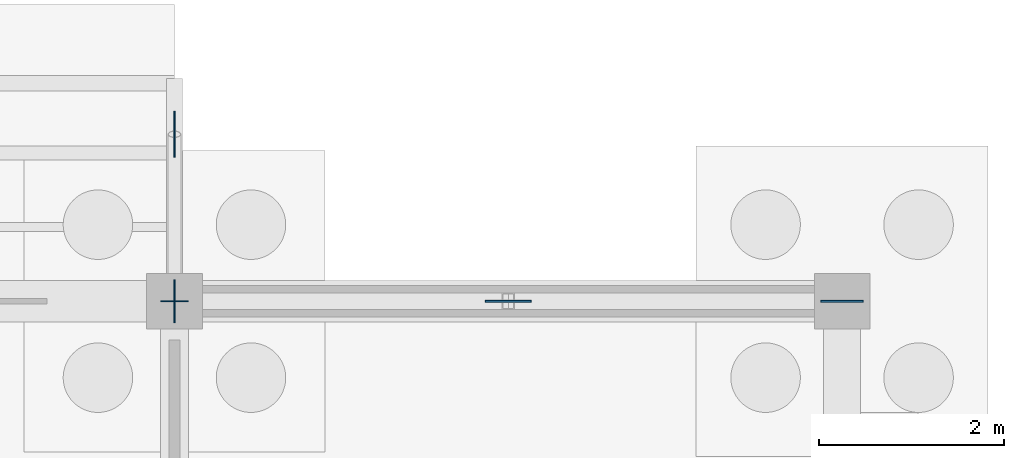
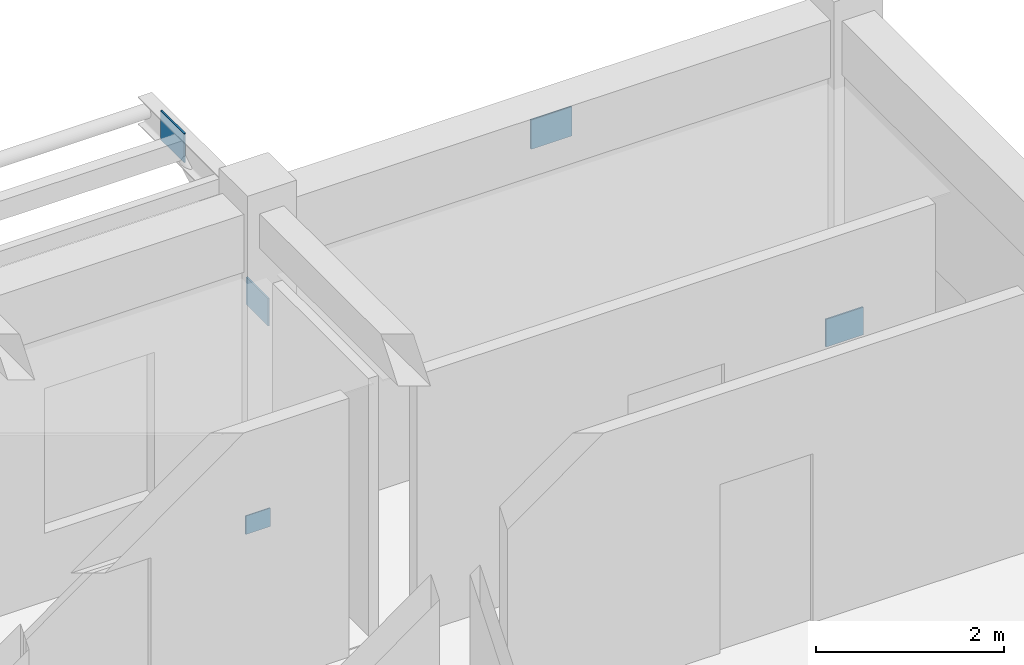
# One storey, part 59 of 111: 5 plates.
"""IFC4 building model written with IfcOpenShell, lengths in metres."""

import ifcopenshell
import ifcopenshell.guid

model = None  # the IFC model being written
_history = None  # IfcOwnerHistory: only IFC2X3 demands one
_inside = {}  # id of a spatial element -> (the spatial element, [elements in it])
_under = {}  # id of a project, library or spatial element -> (it, [spatial elements below it])
_declared = {}  # id of a project -> (the project, [libraries it declares])
_typed = {}  # id of a type object -> (the type object, [elements of that type])
_made_of = {}  # id of a material, layer set ... -> (it, [elements and type objects made of it])


def new_model(schema):
    """Start an empty IFC model of exactly this schema.

    Asked for "IFC4X3", IfcOpenShell would pick the latest addendum, in which some entities
    have other attributes; the version numbers below select the first issue.
    IFC2X3 requires an IfcOwnerHistory on every rooted entity: one is made here for all.
    """
    global model, _history
    if schema == "IFC4X3":
        model = ifcopenshell.file(schema_version=(4, 3, 0, 0))
    else:
        model = ifcopenshell.file(schema=schema)
    _inside.clear()
    _under.clear()
    _declared.clear()
    _typed.clear()
    _made_of.clear()
    _history = None
    if model.schema == "IFC2X3":
        org = make("IfcOrganization", Name="unknown")
        user = make(
            "IfcPersonAndOrganization",
            ThePerson=make("IfcPerson", FamilyName="unknown"),
            TheOrganization=org,
        )
        app = make(
            "IfcApplication",
            ApplicationDeveloper=org,
            Version="unknown",
            ApplicationFullName="unknown",
            ApplicationIdentifier="unknown",
        )
        _history = make(
            "IfcOwnerHistory",
            OwningUser=user,
            OwningApplication=app,
            ChangeAction="ADDED",
            CreationDate=0,
        )
    return model


def make(cls, **values):
    """One entity of the class cls with the attributes given. An attribute that is None is left unset."""
    return model.create_entity(
        cls, **{name: value for name, value in values.items() if value is not None}
    )


def rooted(cls, **values):
    """An entity with a GlobalId (a new one), such as an element, a storey or a relation."""
    return make(cls, GlobalId=ifcopenshell.guid.new(), OwnerHistory=_history, **values)


def si_unit(unit_type, name, prefix=None):
    """IfcSIUnit, for example si_unit("LENGTHUNIT", "METRE", prefix="MILLI")."""
    return make("IfcSIUnit", UnitType=unit_type, Prefix=prefix, Name=name)


def assignment(units):
    """IfcUnitAssignment: the units of a project."""
    return None if units is None else make("IfcUnitAssignment", Units=units)


def point(xyz):
    """IfcCartesianPoint."""
    return None if xyz is None else make("IfcCartesianPoint", Coordinates=xyz)


def direction(xyz):
    """IfcDirection."""
    return None if xyz is None else make("IfcDirection", DirectionRatios=xyz)


def frame(location, z_axis=None, x_axis=None):
    """IfcAxis2Placement3D, a coordinate frame: its origin and axes. An axis left out is left unset."""
    return make(
        "IfcAxis2Placement3D",
        Location=point(location),
        Axis=direction(z_axis),
        RefDirection=direction(x_axis),
    )


def frame_2d(location, x_axis=None):
    """IfcAxis2Placement2D, a coordinate frame in the plane: its origin and x axis."""
    return make(
        "IfcAxis2Placement2D", Location=point(location), RefDirection=direction(x_axis)
    )


def origin():
    """The frame at (0, 0, 0) with its axes left unset."""
    return frame((0.0, 0.0, 0.0))


def origin_2d():
    """The frame at (0, 0) in the plane with its x axis left unset."""
    return frame_2d((0.0, 0.0))


def place(relative_to, where):
    """IfcLocalPlacement: puts the frame where relative to a parent placement (None: the world)."""
    return make(
        "IfcLocalPlacement", PlacementRelTo=relative_to, RelativePlacement=where
    )


def context(
    kind, dimensions, precision=None, world=None, true_north=None, identifier=None
):
    """IfcGeometricRepresentationContext, for example the 3D "Model" context."""
    return make(
        "IfcGeometricRepresentationContext",
        ContextIdentifier=identifier,
        ContextType=kind,
        CoordinateSpaceDimension=dimensions,
        Precision=precision,
        WorldCoordinateSystem=world,
        TrueNorth=true_north,
    )


def subcontext(parent, identifier, kind, view, scale=None):
    """IfcGeometricRepresentationSubContext, for example "Body" below "Model"."""
    return make(
        "IfcGeometricRepresentationSubContext",
        ContextIdentifier=identifier,
        ContextType=kind,
        ParentContext=parent,
        TargetScale=scale,
        TargetView=view,
    )


def project(units=None, contexts=None):
    """IfcProject with its units and contexts."""
    return rooted(
        "IfcProject",
        Name="project",
        RepresentationContexts=contexts,
        UnitsInContext=assignment(units),
    )


def spatial(cls, under=None, at=None, **own):
    """A site, building, storey or space (cls), placed at a placement, below another one or the project."""
    s = rooted(cls, ObjectPlacement=at, **own)
    if under is not None:
        _under.setdefault(under.id(), (under, []))[1].append(s)
    return s


def profile(cls, at=None, kind="AREA", **sizes):
    """A parametric profile (cls). Its sizes go by their IFC names, for example OverallWidth=200.0."""
    return make(cls, ProfileType=kind, Position=at, **sizes)


def rectangle(**sizes):
    """IfcRectangleProfileDef."""
    return profile("IfcRectangleProfileDef", **sizes)


def extrude(swept, where, along, depth):
    """IfcExtrudedAreaSolid: the profile swept, set in the frame where, extruded along a direction by depth."""
    return make(
        "IfcExtrudedAreaSolid",
        SweptArea=swept,
        Position=where,
        ExtrudedDirection=direction(along),
        Depth=depth,
    )


def shape(context_of_items, identifier, shape_type, items):
    """IfcShapeRepresentation: the items that make up one representation, for example the "Body"."""
    return make(
        "IfcShapeRepresentation",
        ContextOfItems=context_of_items,
        RepresentationIdentifier=identifier,
        RepresentationType=shape_type,
        Items=items,
    )


def material(Name=None, Category=None):
    """IfcMaterial."""
    return make("IfcMaterial", Name=Name, Category=Category)


def layer(
    of_material, thickness, ventilated=None, Name=None, Category=None, Priority=None
):
    """IfcMaterialLayer: one layer of a wall or slab, of a material (None: an air gap)."""
    return make(
        "IfcMaterialLayer",
        Material=of_material,
        LayerThickness=thickness,
        IsVentilated=ventilated,
        Name=Name,
        Category=Category,
        Priority=Priority,
    )


def layer_set(layers, Name=None):
    """IfcMaterialLayerSet."""
    return make("IfcMaterialLayerSet", MaterialLayers=layers, LayerSetName=Name)


def made_of(thing, what):
    """Note that an element or type object is made of a material, layer set ...; save() writes the relation."""
    if what is not None:
        _made_of.setdefault(what.id(), (what, []))[1].append(thing)
    return thing


def type_object(cls, material=None, **own):
    """A type object (cls), such as IfcWallType, which elements share."""
    return made_of(rooted(cls, **own), material)


def element(
    cls,
    number,
    at=None,
    inside=None,
    cuts=None,
    type_object=None,
    material=None,
    context=None,
    identifier="Body",
    shape_type=None,
    held_by="IfcProductDefinitionShape",
    body=None,
    shapes=None,
    **own,
):
    """One element of the class cls, such as IfcWall. Its Tag is "e" and its number.

    at: its placement. inside: the storey or other place that contains it. cuts: it is an
    opening in that element (IfcRelVoidsElement). A single representation is given by context,
    identifier, shape_type and body (its items); several are given by shapes. held_by: the class
    of the entity that holds the representations. save() writes the other relations.
    """
    e = rooted(cls, Tag="e%d" % number, ObjectPlacement=at, **own)
    if body is not None:
        shapes = [shape(context, identifier, shape_type, body)]
    if shapes is not None:
        e.Representation = make(held_by, Representations=shapes)
    if inside is not None:
        _inside.setdefault(inside.id(), (inside, []))[1].append(e)
    if cuts is not None:
        rooted(
            "IfcRelVoidsElement", RelatingBuildingElement=cuts, RelatedOpeningElement=e
        )
    if type_object is not None:
        _typed.setdefault(type_object.id(), (type_object, []))[1].append(e)
    return made_of(e, material)


def aggregate(whole, parts):
    """IfcRelAggregates: a whole, such as a stair, and the parts it consists of."""
    return rooted("IfcRelAggregates", RelatingObject=whole, RelatedObjects=parts)


def save(model, path):
    """Write the relations noted so far, then the file.

    IfcRelAggregates (storeys below a building ...), IfcRelContainedInSpatialStructure (elements
    in a storey), IfcRelDefinesByType, IfcRelAssociatesMaterial and IfcRelDeclares: one each for
    every whole, place, type object, material and project.
    """
    for whole, parts in _under.values():
        aggregate(whole, parts)
    for where, things in _inside.values():
        rooted(
            "IfcRelContainedInSpatialStructure",
            RelatedElements=things,
            RelatingStructure=where,
        )
    for kind, things in _typed.values():
        rooted("IfcRelDefinesByType", RelatedObjects=things, RelatingType=kind)
    for what, things in _made_of.values():
        rooted("IfcRelAssociatesMaterial", RelatedObjects=things, RelatingMaterial=what)
    for by, libraries in _declared.values():
        rooted("IfcRelDeclares", RelatingContext=by, RelatedDefinitions=libraries)
    model.write(path)


model = new_model("IFC4")

# Units and contexts
model_context = context("Model", 3, precision=1e-05, world=origin(), true_north=direction((0.0, 1.0)))
body_context = subcontext(model_context, "Body", "Model", "MODEL_VIEW")
ifc_project = project(units=[si_unit("LENGTHUNIT", "METRE"), si_unit("AREAUNIT", "SQUARE_METRE"), si_unit("VOLUMEUNIT", "CUBIC_METRE"), si_unit("PLANEANGLEUNIT", "RADIAN"), si_unit("MASSUNIT", "GRAM", prefix="KILO")], contexts=[model_context])

# Site, building, storey
site_placement = place(None, origin())
site = spatial("IfcSite", under=ifc_project, at=site_placement, CompositionType="ELEMENT")
building_placement = place(site_placement, origin())
building = spatial("IfcBuilding", under=site, at=building_placement, Name="Aldebral Square Health Centre", CompositionType="ELEMENT")
storey_placement = place(building_placement, origin())
storey = spatial("IfcBuildingStorey", under=building, at=storey_placement, Name="L00", CompositionType="ELEMENT", Elevation=0.0)

# Plates
ifc_material = material(Name="Steel S355JR", Category="steel")
ifc_layer_1 = layer(ifc_material, 0.013916015625, Name="Steel S355JR", Category="steel")
ifc_layer_set_1 = layer_set([ifc_layer_1], Name="Steel S355JR")
plate_type_1 = type_object("IfcPlateType", Name="PL-GUS-4", PredefinedType="USERDEFINED", material=ifc_layer_set_1)
plate_placement = place(storey_placement, frame((57.60009765625, 115.199951171875, -0.1201171875), z_axis=(0.0, 0.0, 1.0), x_axis=(1.0, 0.0, 0.0)))
element("IfcPlate", 1, at=plate_placement, inside=storey, type_object=plate_type_1, Name="L00 north chevron brace 9 west base gusset plate", ObjectType="GUSSET_PLATE", PredefinedType="USERDEFINED", context=body_context, shape_type="SweptSolid", body=[
    extrude(rectangle(XDim=0.300048828125, YDim=0.013916015625, at=origin_2d()), origin(), (0.0, 0.0, 1.0), 0.239990234375),
])
ifc_layer_2 = layer(ifc_material, 0.01806640625, Name="Steel S355JR", Category="steel")
ifc_layer_set_2 = layer_set([ifc_layer_2], Name="Steel S355JR")
plate_type_2 = type_object("IfcPlateType", Name="PL-GUS-5", PredefinedType="USERDEFINED", material=ifc_layer_set_2)
for number, where, z_axis, x_axis, name in (
    (2, (57.60009765625, 115.199951171875, 2.669921875), (0.0, 0.0, 1.0), (0.0, 1.0, 0.0), "North canopy knee strut 9 column gusset plate"),
    (3, (64.800048828125, 115.199951171875, -0.18017578125), (0.0, 0.0, 1.0), (1.0, 0.0, 0.0), "L00 north chevron brace 9 east base gusset plate"),
):
    element("IfcPlate", number, at=place(storey_placement, frame(where, z_axis=z_axis, x_axis=x_axis)), inside=storey, type_object=plate_type_2, Name=name, ObjectType="GUSSET_PLATE", PredefinedType="USERDEFINED", context=body_context, shape_type="SweptSolid", body=[
        extrude(rectangle(XDim=0.4599609375, YDim=0.01806640625, at=origin_2d()), origin(), (0.0, 0.0, 1.0), 0.360107421875),
    ])
ifc_layer_3 = layer(ifc_material, 0.02001953125, Name="Steel S355JR", Category="steel")
ifc_layer_set_3 = layer_set([ifc_layer_3], Name="Steel S355JR")
plate_type_3 = type_object("IfcPlateType", Name="PL-GUS-6", PredefinedType="USERDEFINED", material=ifc_layer_set_3)
for number, where, z_axis, x_axis, name in (
    (4, (57.60009765625, 117.0, 3.7099609375), (0.0, 0.0, 1.0), (0.0, 1.0, 0.0), "North canopy knee strut 9 rib gusset plate"),
    (5, (61.199951171875, 115.199951171875, 3.655029296875), (0.0, 0.0, 1.0), (1.0, 0.0, 0.0), "L00 north chevron brace 9 apex gusset plate"),
):
    element("IfcPlate", number, at=place(storey_placement, frame(where, z_axis=z_axis, x_axis=x_axis)), inside=storey, type_object=plate_type_3, Name=name, ObjectType="GUSSET_PLATE", PredefinedType="USERDEFINED", context=body_context, shape_type="SweptSolid", body=[
        extrude(rectangle(XDim=0.5, YDim=0.02001953125, at=origin_2d()), origin(), (0.0, 0.0, 1.0), 0.3798828125),
    ])

save(model, "model.ifc")
